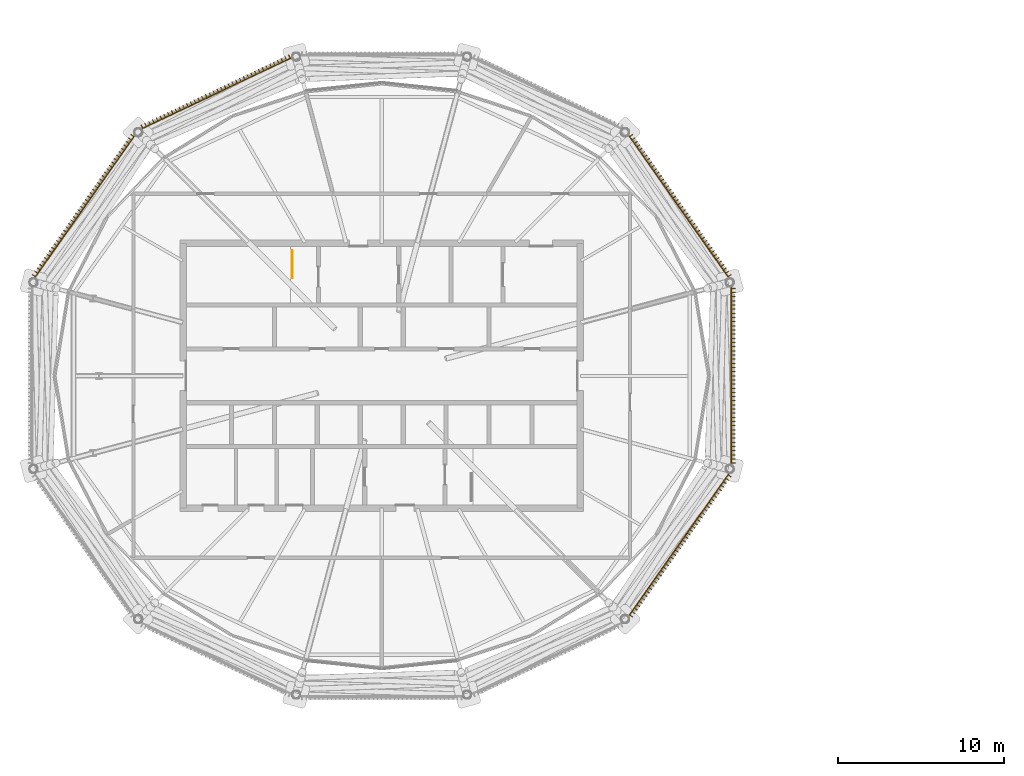
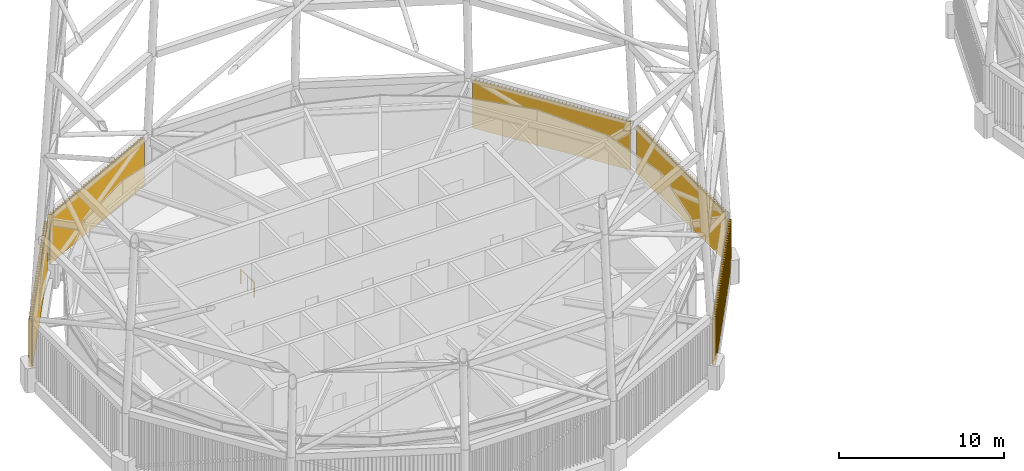
# One storey, part 68 of 71: 5 coverings, 1 railing.
"""IFC4 building model written with IfcOpenShell, lengths in metres."""

from ifc_helpers import new_model, si_unit, direction, frame, origin, origin_2d, place, context, subcontext, project, spatial, polyline, circle, outline, extrude, material, type_object, element, save


model = new_model("IFC4")

# Units and contexts
model_context = context("Model", 3, precision=1e-05, world=origin(), true_north=direction((0.0, 1.0)))
body_context = subcontext(model_context, "Body", "Model", "MODEL_VIEW")
ifc_project = project(units=[si_unit("LENGTHUNIT", "METRE"), si_unit("AREAUNIT", "SQUARE_METRE"), si_unit("VOLUMEUNIT", "CUBIC_METRE"), si_unit("PLANEANGLEUNIT", "RADIAN"), si_unit("MASSUNIT", "GRAM", prefix="KILO")], contexts=[model_context])

# Site, building, storey
site_placement = place(None, origin())
site = spatial("IfcSite", under=ifc_project, at=site_placement, CompositionType="ELEMENT")
building_placement = place(site_placement, origin())
building = spatial("IfcBuilding", under=site, at=building_placement, Name="Rimbun Link Towers", CompositionType="ELEMENT")
storey_placement = place(building_placement, frame((0.0, 0.0, 267.60009765625)))
storey = spatial("IfcBuildingStorey", under=building, at=storey_placement, Name="L65", CompositionType="ELEMENT", Elevation=267.60009765625)

# Railing
ifc_material_1 = material(Name="Stainless steel grade 316", Category="steel")
railing_type = type_object("IfcRailingType", Name="Stair guard", PredefinedType="GUARDRAIL", material=ifc_material_1)
railing_placement = place(storey_placement, frame((-37.14990234375, 7.550048828125, 0.0)))
element("IfcRailing", 1, at=railing_placement, inside=storey, type_object=railing_type, Name="L65 ST1 top well guard 1", PredefinedType="GUARDRAIL", context=body_context, shape_type="SweptSolid", body=[
    extrude(circle(Radius=0.02392578125, at=origin_2d()), frame((0.0, 0.0, 1.076171875), z_axis=(0.0, -1.0, 0.0), x_axis=(1.0, 0.0, 0.0)), (0.0, 0.0, 1.0), 1.650146484375),
    extrude(circle(Radius=0.02099609375, at=origin_2d()), origin(), (0.0, 0.0, 1.0), 1.052001953125),
    extrude(circle(Radius=0.02099609375, at=origin_2d()), frame((0.0, -0.8251953125, 0.0)), (0.0, 0.0, 1.0), 1.052001953125),
    extrude(circle(Radius=0.02099609375, at=origin_2d()), frame((0.0, -1.650146484375, 0.0)), (0.0, 0.0, 1.0), 1.052001953125),
])

# Coverings
ifc_material_2 = material(Name="Terracotta", Category="masonry")
covering_type = type_object("IfcCoveringType", Name="TERRACOTTA CLADDING screen fins", PredefinedType="CLADDING", material=ifc_material_2)
covering_1_placement = place(storey_placement, frame((0.0, 0.0, 0.2119140625)))
element("IfcCovering", 2, at=covering_1_placement, inside=storey, type_object=covering_type, Name="TERRACOTTA CLADDING screen", PredefinedType="CLADDING", context=body_context, shape_type="SweptSolid", body=[
    extrude(outline(polyline([(-10.7373046875, 5.893310546875), (-10.80126953125, 5.984130859375), (-10.6376953125, 6.099365234375), (-10.65478515625, 6.123779296875), (-10.818603515625, 6.0087890625), (-10.9462890625, 6.1904296875), (-10.78271484375, 6.3056640625), (-10.800048828125, 6.330078125), (-10.963623046875, 6.215087890625), (-11.091552734375, 6.396728515625), (-10.927978515625, 6.511962890625), (-10.9453125, 6.536376953125), (-11.10888671875, 6.42138671875), (-11.23681640625, 6.60302734375), (-11.072998046875, 6.71826171875), (-11.09033203125, 6.74267578125), (-11.25390625, 6.627685546875), (-11.3818359375, 6.809326171875), (-11.21826171875, 6.92431640625), (-11.235595703125, 6.948974609375), (-11.399169921875, 6.833984375), (-11.527099609375, 7.015625), (-11.36328125, 7.130615234375), (-11.380615234375, 7.1552734375), (-11.544189453125, 7.040283203125), (-11.672119140625, 7.221923828125), (-11.508544921875, 7.3369140625), (-11.52587890625, 7.361572265625), (-11.689453125, 7.24658203125), (-11.8173828125, 7.42822265625), (-11.65380859375, 7.543212890625), (-11.6708984375, 7.56787109375), (-11.83447265625, 7.45263671875), (-11.96240234375, 7.634521484375), (-11.798828125, 7.74951171875), (-11.816162109375, 7.774169921875), (-11.979736328125, 7.658935546875), (-12.107666015625, 7.8408203125), (-11.944091796875, 7.955810546875), (-11.961181640625, 7.98046875), (-12.124755859375, 7.865234375), (-12.252685546875, 8.047119140625), (-12.089111328125, 8.162109375), (-12.1064453125, 8.186767578125), (-12.27001953125, 8.071533203125), (-12.397705078125, 8.25341796875), (-12.234375, 8.368408203125), (-12.25146484375, 8.39306640625), (-12.4150390625, 8.27783203125), (-12.54296875, 8.459716796875), (-12.37939453125, 8.57470703125), (-12.396728515625, 8.599365234375), (-12.560302734375, 8.484130859375), (-12.68798828125, 8.666015625), (-12.524658203125, 8.781005859375), (-12.541748046875, 8.8056640625), (-12.705322265625, 8.6904296875), (-12.833251953125, 8.872314453125), (-12.669677734375, 8.9873046875), (-12.68701171875, 9.01171875), (-12.8505859375, 8.896728515625), (-12.978515625, 9.07861328125), (-12.81494140625, 9.193603515625), (-12.83203125, 9.218017578125), (-12.99560546875, 9.10302734375), (-13.12353515625, 9.284912109375), (-12.9599609375, 9.39990234375), (-12.977294921875, 9.42431640625), (-13.140869140625, 9.309326171875), (-13.268798828125, 9.4912109375), (-13.10498046875, 9.606201171875), (-13.122314453125, 9.630615234375), (-13.285888671875, 9.515625), (-13.413818359375, 9.697509765625), (-13.250244140625, 9.8125), (-13.267578125, 9.8369140625), (-13.43115234375, 9.721923828125), (-13.55908203125, 9.90380859375), (-13.3955078125, 10.018798828125), (-13.41259765625, 10.043212890625), (-13.576416015625, 9.92822265625), (-13.7041015625, 10.10986328125), (-13.54052734375, 10.22509765625), (-13.557861328125, 10.24951171875), (-13.721435546875, 10.134521484375), (-13.849365234375, 10.316162109375), (-13.685791015625, 10.431396484375), (-13.702880859375, 10.455810546875), (-13.86669921875, 10.3408203125), (-13.994384765625, 10.5224609375), (-13.830810546875, 10.6376953125), (-13.84814453125, 10.662109375), (-14.01171875, 10.547119140625), (-14.1396484375, 10.728759765625), (-13.97607421875, 10.843994140625), (-13.993408203125, 10.868408203125), (-14.156982421875, 10.75341796875), (-14.28466796875, 10.93505859375), (-14.12109375, 11.05029296875), (-14.138427734375, 11.07470703125), (-14.302001953125, 10.959716796875), (-14.429931640625, 11.141357421875), (-14.266357421875, 11.256591796875), (-14.28369140625, 11.281005859375), (-14.447021484375, 11.166015625), (-14.574951171875, 11.34765625), (-14.41162109375, 11.462890625), (-14.4287109375, 11.4873046875), (-14.59228515625, 11.372314453125), (-14.72021484375, 11.553955078125), (-14.556640625, 11.6689453125), (-14.573974609375, 11.693603515625), (-14.7373046875, 11.57861328125), (-14.865234375, 11.76025390625), (-14.70166015625, 11.875244140625), (-14.718994140625, 11.89990234375), (-14.882568359375, 11.784912109375), (-15.010498046875, 11.966552734375), (-14.846923828125, 12.08154296875), (-14.8642578125, 12.106201171875), (-15.027587890625, 11.9912109375), (-15.155517578125, 12.1728515625), (-14.991943359375, 12.287841796875), (-15.00927734375, 12.3125), (-15.1728515625, 12.197265625), (-15.30078125, 12.379150390625), (-15.13720703125, 12.494140625), (-15.154296875, 12.518798828125), (-15.318115234375, 12.403564453125), (-15.44580078125, 12.58544921875), (-15.2822265625, 12.700439453125), (-15.299560546875, 12.72509765625), (-15.463134765625, 12.60986328125), (-15.591064453125, 12.791748046875), (-15.427490234375, 12.90673828125), (-15.444580078125, 12.931396484375), (-15.6083984375, 12.816162109375), (-15.736083984375, 12.998046875), (-15.572509765625, 13.113037109375), (-15.58984375, 13.1376953125), (-15.75341796875, 13.0224609375), (-15.88134765625, 13.2041015625), (-15.7177734375, 13.3193359375), (-15.735107421875, 13.343994140625), (-15.898681640625, 13.228759765625), (-16.026611328125, 13.410400390625), (-15.86279296875, 13.525634765625), (-15.880126953125, 13.55029296875), (-16.043701171875, 13.43505859375), (-16.171630859375, 13.61669921875), (-16.008056640625, 13.73193359375), (-16.025390625, 13.75634765625), (-16.18896484375, 13.641357421875), (-16.31689453125, 13.822998046875), (-16.1533203125, 13.938232421875), (-16.17041015625, 13.962646484375), (-16.333984375, 13.84765625), (-16.4619140625, 14.029296875), (-16.29833984375, 14.14453125), (-16.315673828125, 14.1689453125), (-16.479248046875, 14.053955078125), (-16.607177734375, 14.235595703125), (-16.443603515625, 14.350830078125), (-16.460693359375, 14.375244140625), (-16.624267578125, 14.26025390625), (-16.752197265625, 14.44189453125), (-16.588623046875, 14.55712890625), (-16.60595703125, 14.58154296875), (-16.76953125, 14.466552734375), (-16.83349609375, 14.557373046875), (-16.869384765625, 14.521484375), (-10.788818359375, 5.87939453125), (-10.7373046875, 5.893310546875)])), origin(), (0.0, 0.0, 1.0), 3.575927734375),
])
covering_2_placement = place(storey_placement, frame((0.0, 0.0, 0.2119140625)))
element("IfcCovering", 3, at=covering_2_placement, inside=storey, type_object=covering_type, Name="TERRACOTTA CLADDING screen", PredefinedType="CLADDING", context=body_context, shape_type="SweptSolid", body=[
    extrude(outline(polyline([(-37.1708984375, 19.249755859375), (-37.271484375, 19.201904296875), (-37.357177734375, 19.3828125), (-37.38427734375, 19.369873046875), (-37.298583984375, 19.189208984375), (-37.5, 19.09375), (-37.585693359375, 19.2744140625), (-37.61279296875, 19.261474609375), (-37.527099609375, 19.080810546875), (-37.728515625, 18.9853515625), (-37.814208984375, 19.166015625), (-37.84130859375, 19.1533203125), (-37.755615234375, 18.972412109375), (-37.956787109375, 18.877197265625), (-38.04248046875, 19.057861328125), (-38.069580078125, 19.044921875), (-37.98388671875, 18.8642578125), (-38.185302734375, 18.768798828125), (-38.27099609375, 18.949462890625), (-38.298095703125, 18.936767578125), (-38.21240234375, 18.755859375), (-38.413818359375, 18.660400390625), (-38.49951171875, 18.84130859375), (-38.526611328125, 18.828369140625), (-38.44091796875, 18.647705078125), (-38.642333984375, 18.55224609375), (-38.72802734375, 18.73291015625), (-38.755126953125, 18.72021484375), (-38.66943359375, 18.539306640625), (-38.87060546875, 18.44384765625), (-38.956298828125, 18.624755859375), (-38.9833984375, 18.61181640625), (-38.89794921875, 18.43115234375), (-39.09912109375, 18.335693359375), (-39.184814453125, 18.516357421875), (-39.2119140625, 18.50341796875), (-39.126220703125, 18.32275390625), (-39.32763671875, 18.227294921875), (-39.413330078125, 18.408203125), (-39.4404296875, 18.395263671875), (-39.354736328125, 18.214599609375), (-39.55615234375, 18.119140625), (-39.641845703125, 18.2998046875), (-39.6689453125, 18.287109375), (-39.583251953125, 18.106201171875), (-39.78466796875, 18.0107421875), (-39.8701171875, 18.19140625), (-39.897216796875, 18.1787109375), (-39.811767578125, 17.998046875), (-40.012939453125, 17.902587890625), (-40.0986328125, 18.083251953125), (-40.125732421875, 18.0703125), (-40.0400390625, 17.8896484375), (-40.241455078125, 17.794189453125), (-40.3271484375, 17.97509765625), (-40.354248046875, 17.962158203125), (-40.2685546875, 17.781494140625), (-40.469970703125, 17.685791015625), (-40.5556640625, 17.86669921875), (-40.582763671875, 17.853759765625), (-40.4970703125, 17.673095703125), (-40.698486328125, 17.57763671875), (-40.783935546875, 17.75830078125), (-40.81103515625, 17.74560546875), (-40.7255859375, 17.564697265625), (-40.9267578125, 17.469482421875), (-41.012451171875, 17.650146484375), (-41.03955078125, 17.63720703125), (-40.953857421875, 17.45654296875), (-41.1552734375, 17.361083984375), (-41.240966796875, 17.541748046875), (-41.26806640625, 17.529052734375), (-41.182373046875, 17.34814453125), (-41.3837890625, 17.252685546875), (-41.469482421875, 17.43359375), (-41.49658203125, 17.420654296875), (-41.410888671875, 17.239990234375), (-41.6123046875, 17.14453125), (-41.69775390625, 17.3251953125), (-41.72509765625, 17.3125), (-41.639404296875, 17.131591796875), (-41.840576171875, 17.0361328125), (-41.92626953125, 17.217041015625), (-41.953369140625, 17.2041015625), (-41.86767578125, 17.0234375), (-42.069091796875, 16.927978515625), (-42.15478515625, 17.108642578125), (-42.181884765625, 17.095703125), (-42.09619140625, 16.9150390625), (-42.297607421875, 16.819580078125), (-42.38330078125, 17.00048828125), (-42.410400390625, 16.987548828125), (-42.32470703125, 16.806884765625), (-42.52587890625, 16.71142578125), (-42.61181640625, 16.89208984375), (-42.638916015625, 16.87939453125), (-42.552978515625, 16.698486328125), (-42.75439453125, 16.60302734375), (-42.840087890625, 16.78369140625), (-42.8671875, 16.77099609375), (-42.781494140625, 16.590087890625), (-42.98291015625, 16.494873046875), (-43.068603515625, 16.675537109375), (-43.095703125, 16.66259765625), (-43.010009765625, 16.48193359375), (-43.21142578125, 16.386474609375), (-43.297119140625, 16.567138671875), (-43.32421875, 16.554443359375), (-43.238525390625, 16.373779296875), (-43.439697265625, 16.2783203125), (-43.525390625, 16.458984375), (-43.552490234375, 16.446044921875), (-43.466796875, 16.265380859375), (-43.668212890625, 16.169921875), (-43.75390625, 16.3505859375), (-43.781005859375, 16.337890625), (-43.6953125, 16.156982421875), (-43.896728515625, 16.061767578125), (-43.982421875, 16.242431640625), (-44.009521484375, 16.2294921875), (-43.923828125, 16.048828125), (-44.125244140625, 15.953369140625), (-44.210693359375, 16.134033203125), (-44.23779296875, 16.121337890625), (-44.15234375, 15.9404296875), (-44.353515625, 15.84521484375), (-44.439208984375, 16.02587890625), (-44.46630859375, 16.012939453125), (-44.380615234375, 15.832275390625), (-44.58203125, 15.73681640625), (-44.667724609375, 15.91748046875), (-44.69482421875, 15.90478515625), (-44.609130859375, 15.72412109375), (-44.810546875, 15.62841796875), (-44.896240234375, 15.80908203125), (-44.92333984375, 15.79638671875), (-44.837646484375, 15.61572265625), (-45.0390625, 15.520263671875), (-45.12451171875, 15.700927734375), (-45.15185546875, 15.68798828125), (-45.066162109375, 15.50732421875), (-45.267333984375, 15.412109375), (-45.35302734375, 15.5927734375), (-45.380126953125, 15.579833984375), (-45.29443359375, 15.399169921875), (-45.495849609375, 15.3037109375), (-45.58154296875, 15.484375), (-45.608642578125, 15.471435546875), (-45.52294921875, 15.290771484375), (-45.724365234375, 15.1953125), (-45.81005859375, 15.376220703125), (-45.837158203125, 15.36328125), (-45.75146484375, 15.1826171875), (-45.952880859375, 15.087158203125), (-46.03857421875, 15.267822265625), (-46.065673828125, 15.2548828125), (-45.97998046875, 15.07421875), (-46.181396484375, 14.978759765625), (-46.266845703125, 15.159423828125), (-46.2939453125, 15.146728515625), (-46.20849609375, 14.966064453125), (-46.30908203125, 14.918212890625), (-46.271484375, 14.880615234375), (-37.15771484375, 19.20068359375), (-37.1708984375, 19.249755859375)])), origin(), (0.0, 0.0, 1.0), 3.575927734375),
])
covering_3_placement = place(storey_placement, frame((0.0, 0.0, 0.2119140625)))
element("IfcCovering", 4, at=covering_3_placement, inside=storey, type_object=covering_type, Name="TERRACOTTA CLADDING screen", PredefinedType="CLADDING", context=body_context, shape_type="SweptSolid", body=[
    extrude(outline(polyline([(-46.66650390625, 14.557373046875), (-46.73046875, 14.466552734375), (-46.89404296875, 14.58154296875), (-46.911376953125, 14.55712890625), (-46.747802734375, 14.44189453125), (-46.875732421875, 14.26025390625), (-47.039306640625, 14.375244140625), (-47.056396484375, 14.350830078125), (-46.892822265625, 14.235595703125), (-47.020751953125, 14.053955078125), (-47.184326171875, 14.1689453125), (-47.20166015625, 14.14453125), (-47.0380859375, 14.029296875), (-47.166015625, 13.84765625), (-47.32958984375, 13.962646484375), (-47.3466796875, 13.938232421875), (-47.18310546875, 13.822998046875), (-47.31103515625, 13.641357421875), (-47.474609375, 13.75634765625), (-47.491943359375, 13.73193359375), (-47.328369140625, 13.61669921875), (-47.456298828125, 13.43505859375), (-47.619873046875, 13.55029296875), (-47.63720703125, 13.525634765625), (-47.473388671875, 13.410400390625), (-47.601318359375, 13.228759765625), (-47.764892578125, 13.343994140625), (-47.7822265625, 13.3193359375), (-47.61865234375, 13.2041015625), (-47.74658203125, 13.0224609375), (-47.91015625, 13.1376953125), (-47.927490234375, 13.113037109375), (-47.763916015625, 12.998046875), (-47.8916015625, 12.816162109375), (-48.055419921875, 12.931396484375), (-48.072509765625, 12.90673828125), (-47.908935546875, 12.791748046875), (-48.036865234375, 12.60986328125), (-48.200439453125, 12.72509765625), (-48.2177734375, 12.700439453125), (-48.05419921875, 12.58544921875), (-48.181884765625, 12.403564453125), (-48.345703125, 12.518798828125), (-48.36279296875, 12.494140625), (-48.19921875, 12.379150390625), (-48.3271484375, 12.197265625), (-48.49072265625, 12.3125), (-48.508056640625, 12.287841796875), (-48.344482421875, 12.1728515625), (-48.472412109375, 11.9912109375), (-48.6357421875, 12.106201171875), (-48.653076171875, 12.08154296875), (-48.489501953125, 11.966552734375), (-48.617431640625, 11.784912109375), (-48.781005859375, 11.89990234375), (-48.79833984375, 11.875244140625), (-48.634765625, 11.76025390625), (-48.7626953125, 11.57861328125), (-48.926025390625, 11.693603515625), (-48.943359375, 11.6689453125), (-48.77978515625, 11.553955078125), (-48.90771484375, 11.372314453125), (-49.0712890625, 11.4873046875), (-49.08837890625, 11.462890625), (-48.925048828125, 11.34765625), (-49.052978515625, 11.166015625), (-49.21630859375, 11.281005859375), (-49.233642578125, 11.256591796875), (-49.070068359375, 11.141357421875), (-49.197998046875, 10.959716796875), (-49.361572265625, 11.07470703125), (-49.37890625, 11.05029296875), (-49.21533203125, 10.93505859375), (-49.343017578125, 10.75341796875), (-49.506591796875, 10.868408203125), (-49.52392578125, 10.843994140625), (-49.3603515625, 10.728759765625), (-49.48828125, 10.547119140625), (-49.65185546875, 10.662109375), (-49.669189453125, 10.6376953125), (-49.505615234375, 10.5224609375), (-49.63330078125, 10.3408203125), (-49.797119140625, 10.455810546875), (-49.814208984375, 10.431396484375), (-49.650634765625, 10.316162109375), (-49.778564453125, 10.134521484375), (-49.942138671875, 10.24951171875), (-49.95947265625, 10.22509765625), (-49.7958984375, 10.10986328125), (-49.923583984375, 9.92822265625), (-50.08740234375, 10.043212890625), (-50.1044921875, 10.018798828125), (-49.94091796875, 9.90380859375), (-50.06884765625, 9.721923828125), (-50.232421875, 9.8369140625), (-50.249755859375, 9.8125), (-50.086181640625, 9.697509765625), (-50.214111328125, 9.515625), (-50.377685546875, 9.630615234375), (-50.39501953125, 9.606201171875), (-50.231201171875, 9.4912109375), (-50.359130859375, 9.309326171875), (-50.522705078125, 9.42431640625), (-50.5400390625, 9.39990234375), (-50.37646484375, 9.284912109375), (-50.50439453125, 9.10302734375), (-50.66796875, 9.218017578125), (-50.68505859375, 9.193603515625), (-50.521484375, 9.07861328125), (-50.6494140625, 8.896728515625), (-50.81298828125, 9.01171875), (-50.830322265625, 8.9873046875), (-50.666748046875, 8.872314453125), (-50.794677734375, 8.6904296875), (-50.958251953125, 8.8056640625), (-50.975341796875, 8.781005859375), (-50.81201171875, 8.666015625), (-50.939697265625, 8.484130859375), (-51.103271484375, 8.599365234375), (-51.12060546875, 8.57470703125), (-50.95703125, 8.459716796875), (-51.0849609375, 8.27783203125), (-51.24853515625, 8.39306640625), (-51.265625, 8.368408203125), (-51.102294921875, 8.25341796875), (-51.22998046875, 8.071533203125), (-51.3935546875, 8.186767578125), (-51.410888671875, 8.162109375), (-51.247314453125, 8.047119140625), (-51.375244140625, 7.865234375), (-51.538818359375, 7.98046875), (-51.555908203125, 7.955810546875), (-51.392333984375, 7.8408203125), (-51.520263671875, 7.658935546875), (-51.683837890625, 7.774169921875), (-51.701171875, 7.74951171875), (-51.53759765625, 7.634521484375), (-51.66552734375, 7.45263671875), (-51.8291015625, 7.56787109375), (-51.84619140625, 7.543212890625), (-51.6826171875, 7.42822265625), (-51.810546875, 7.24658203125), (-51.97412109375, 7.361572265625), (-51.991455078125, 7.3369140625), (-51.827880859375, 7.221923828125), (-51.955810546875, 7.040283203125), (-52.119384765625, 7.1552734375), (-52.13671875, 7.130615234375), (-51.972900390625, 7.015625), (-52.100830078125, 6.833984375), (-52.264404296875, 6.948974609375), (-52.28173828125, 6.92431640625), (-52.1181640625, 6.809326171875), (-52.24609375, 6.627685546875), (-52.40966796875, 6.74267578125), (-52.427001953125, 6.71826171875), (-52.26318359375, 6.60302734375), (-52.39111328125, 6.42138671875), (-52.5546875, 6.536376953125), (-52.572021484375, 6.511962890625), (-52.408447265625, 6.396728515625), (-52.536376953125, 6.215087890625), (-52.699951171875, 6.330078125), (-52.71728515625, 6.3056640625), (-52.5537109375, 6.1904296875), (-52.681396484375, 6.0087890625), (-52.84521484375, 6.123779296875), (-52.8623046875, 6.099365234375), (-52.69873046875, 5.984130859375), (-52.7626953125, 5.893310546875), (-52.711181640625, 5.87939453125), (-46.630615234375, 14.521484375), (-46.66650390625, 14.557373046875)])), origin(), (0.0, 0.0, 1.0), 3.575927734375),
])
covering_4_placement = place(storey_placement, frame((0.0, 0.0, 0.2119140625)))
element("IfcCovering", 5, at=covering_4_placement, inside=storey, type_object=covering_type, Name="TERRACOTTA CLADDING screen", PredefinedType="CLADDING", context=body_context, shape_type="SweptSolid", body=[
    extrude(outline(polyline([(-16.83349609375, -14.557373046875), (-16.76953125, -14.466552734375), (-16.60595703125, -14.58154296875), (-16.588623046875, -14.55712890625), (-16.752197265625, -14.44189453125), (-16.624267578125, -14.26025390625), (-16.460693359375, -14.375244140625), (-16.443603515625, -14.350830078125), (-16.607177734375, -14.235595703125), (-16.479248046875, -14.053955078125), (-16.315673828125, -14.1689453125), (-16.29833984375, -14.14453125), (-16.4619140625, -14.029296875), (-16.333984375, -13.84765625), (-16.17041015625, -13.962646484375), (-16.1533203125, -13.938232421875), (-16.31689453125, -13.822998046875), (-16.18896484375, -13.641357421875), (-16.025390625, -13.75634765625), (-16.008056640625, -13.73193359375), (-16.171630859375, -13.61669921875), (-16.043701171875, -13.43505859375), (-15.880126953125, -13.55029296875), (-15.86279296875, -13.525634765625), (-16.026611328125, -13.410400390625), (-15.898681640625, -13.228759765625), (-15.735107421875, -13.343994140625), (-15.7177734375, -13.3193359375), (-15.88134765625, -13.2041015625), (-15.75341796875, -13.0224609375), (-15.58984375, -13.1376953125), (-15.572509765625, -13.113037109375), (-15.736083984375, -12.998046875), (-15.6083984375, -12.816162109375), (-15.444580078125, -12.931396484375), (-15.427490234375, -12.90673828125), (-15.591064453125, -12.791748046875), (-15.463134765625, -12.60986328125), (-15.299560546875, -12.72509765625), (-15.2822265625, -12.700439453125), (-15.44580078125, -12.58544921875), (-15.318115234375, -12.403564453125), (-15.154296875, -12.518798828125), (-15.13720703125, -12.494140625), (-15.30078125, -12.379150390625), (-15.1728515625, -12.197265625), (-15.00927734375, -12.3125), (-14.991943359375, -12.287841796875), (-15.155517578125, -12.1728515625), (-15.027587890625, -11.9912109375), (-14.8642578125, -12.106201171875), (-14.846923828125, -12.08154296875), (-15.010498046875, -11.966552734375), (-14.882568359375, -11.784912109375), (-14.718994140625, -11.89990234375), (-14.70166015625, -11.875244140625), (-14.865234375, -11.76025390625), (-14.7373046875, -11.57861328125), (-14.573974609375, -11.693603515625), (-14.556640625, -11.6689453125), (-14.72021484375, -11.553955078125), (-14.59228515625, -11.372314453125), (-14.4287109375, -11.4873046875), (-14.41162109375, -11.462890625), (-14.574951171875, -11.34765625), (-14.447021484375, -11.166015625), (-14.28369140625, -11.281005859375), (-14.266357421875, -11.256591796875), (-14.429931640625, -11.141357421875), (-14.302001953125, -10.959716796875), (-14.138427734375, -11.07470703125), (-14.12109375, -11.05029296875), (-14.28466796875, -10.93505859375), (-14.156982421875, -10.75341796875), (-13.993408203125, -10.868408203125), (-13.97607421875, -10.843994140625), (-14.1396484375, -10.728759765625), (-14.01171875, -10.547119140625), (-13.84814453125, -10.662109375), (-13.830810546875, -10.6376953125), (-13.994384765625, -10.5224609375), (-13.86669921875, -10.3408203125), (-13.702880859375, -10.455810546875), (-13.685791015625, -10.431396484375), (-13.849365234375, -10.316162109375), (-13.721435546875, -10.134521484375), (-13.557861328125, -10.24951171875), (-13.54052734375, -10.22509765625), (-13.7041015625, -10.10986328125), (-13.576416015625, -9.92822265625), (-13.41259765625, -10.043212890625), (-13.3955078125, -10.018798828125), (-13.55908203125, -9.90380859375), (-13.43115234375, -9.721923828125), (-13.267578125, -9.8369140625), (-13.250244140625, -9.8125), (-13.413818359375, -9.697509765625), (-13.285888671875, -9.515625), (-13.122314453125, -9.630615234375), (-13.10498046875, -9.606201171875), (-13.268798828125, -9.4912109375), (-13.140869140625, -9.309326171875), (-12.977294921875, -9.42431640625), (-12.9599609375, -9.39990234375), (-13.12353515625, -9.284912109375), (-12.99560546875, -9.10302734375), (-12.83203125, -9.218017578125), (-12.81494140625, -9.193603515625), (-12.978515625, -9.07861328125), (-12.8505859375, -8.896728515625), (-12.68701171875, -9.01171875), (-12.669677734375, -8.9873046875), (-12.833251953125, -8.872314453125), (-12.705322265625, -8.6904296875), (-12.541748046875, -8.8056640625), (-12.524658203125, -8.781005859375), (-12.68798828125, -8.666015625), (-12.560302734375, -8.484130859375), (-12.396728515625, -8.599365234375), (-12.37939453125, -8.57470703125), (-12.54296875, -8.459716796875), (-12.4150390625, -8.27783203125), (-12.25146484375, -8.39306640625), (-12.234375, -8.368408203125), (-12.397705078125, -8.25341796875), (-12.27001953125, -8.071533203125), (-12.1064453125, -8.186767578125), (-12.089111328125, -8.162109375), (-12.252685546875, -8.047119140625), (-12.124755859375, -7.865234375), (-11.961181640625, -7.98046875), (-11.944091796875, -7.955810546875), (-12.107666015625, -7.8408203125), (-11.979736328125, -7.658935546875), (-11.816162109375, -7.774169921875), (-11.798828125, -7.74951171875), (-11.96240234375, -7.634521484375), (-11.83447265625, -7.45263671875), (-11.6708984375, -7.56787109375), (-11.65380859375, -7.543212890625), (-11.8173828125, -7.42822265625), (-11.689453125, -7.24658203125), (-11.52587890625, -7.361572265625), (-11.508544921875, -7.3369140625), (-11.672119140625, -7.221923828125), (-11.544189453125, -7.040283203125), (-11.380615234375, -7.1552734375), (-11.36328125, -7.130615234375), (-11.527099609375, -7.015625), (-11.399169921875, -6.833984375), (-11.235595703125, -6.948974609375), (-11.21826171875, -6.92431640625), (-11.3818359375, -6.809326171875), (-11.25390625, -6.627685546875), (-11.09033203125, -6.74267578125), (-11.072998046875, -6.71826171875), (-11.23681640625, -6.60302734375), (-11.10888671875, -6.42138671875), (-10.9453125, -6.536376953125), (-10.927978515625, -6.511962890625), (-11.091552734375, -6.396728515625), (-10.963623046875, -6.215087890625), (-10.800048828125, -6.330078125), (-10.78271484375, -6.3056640625), (-10.9462890625, -6.1904296875), (-10.818603515625, -6.0087890625), (-10.65478515625, -6.123779296875), (-10.6376953125, -6.099365234375), (-10.80126953125, -5.984130859375), (-10.7373046875, -5.893310546875), (-10.788818359375, -5.87939453125), (-16.869384765625, -14.521484375), (-16.83349609375, -14.557373046875)])), origin(), (0.0, 0.0, 1.0), 3.575927734375),
])
covering_5_placement = place(storey_placement, frame((0.0, 0.0, 0.2119140625)))
element("IfcCovering", 6, at=covering_5_placement, inside=storey, type_object=covering_type, Name="TERRACOTTA CLADDING screen", PredefinedType="CLADDING", context=body_context, shape_type="SweptSolid", body=[
    extrude(outline(polyline([(-10.607421875, -5.40234375), (-10.607421875, -5.29150390625), (-10.4072265625, -5.29150390625), (-10.4072265625, -5.26171875), (-10.607421875, -5.26171875), (-10.607421875, -5.040283203125), (-10.4072265625, -5.040283203125), (-10.4072265625, -5.010498046875), (-10.607421875, -5.010498046875), (-10.607421875, -4.7890625), (-10.4072265625, -4.7890625), (-10.4072265625, -4.759033203125), (-10.607421875, -4.759033203125), (-10.607421875, -4.537841796875), (-10.4072265625, -4.537841796875), (-10.4072265625, -4.5078125), (-10.607421875, -4.5078125), (-10.607421875, -4.28662109375), (-10.4072265625, -4.28662109375), (-10.4072265625, -4.256591796875), (-10.607421875, -4.256591796875), (-10.607421875, -4.035400390625), (-10.4072265625, -4.035400390625), (-10.4072265625, -4.00537109375), (-10.607421875, -4.00537109375), (-10.607421875, -3.783935546875), (-10.4072265625, -3.783935546875), (-10.4072265625, -3.75390625), (-10.607421875, -3.75390625), (-10.607421875, -3.53271484375), (-10.4072265625, -3.53271484375), (-10.4072265625, -3.502685546875), (-10.607421875, -3.502685546875), (-10.607421875, -3.281494140625), (-10.4072265625, -3.281494140625), (-10.4072265625, -3.25146484375), (-10.607421875, -3.25146484375), (-10.607421875, -3.0302734375), (-10.4072265625, -3.0302734375), (-10.4072265625, -3.000244140625), (-10.607421875, -3.000244140625), (-10.607421875, -2.77880859375), (-10.4072265625, -2.77880859375), (-10.4072265625, -2.748779296875), (-10.607421875, -2.748779296875), (-10.607421875, -2.527587890625), (-10.4072265625, -2.527587890625), (-10.4072265625, -2.497802734375), (-10.607421875, -2.497802734375), (-10.607421875, -2.2763671875), (-10.4072265625, -2.2763671875), (-10.4072265625, -2.246337890625), (-10.607421875, -2.246337890625), (-10.607421875, -2.025146484375), (-10.4072265625, -2.025146484375), (-10.4072265625, -1.9951171875), (-10.607421875, -1.9951171875), (-10.607421875, -1.77392578125), (-10.4072265625, -1.77392578125), (-10.4072265625, -1.743896484375), (-10.607421875, -1.743896484375), (-10.607421875, -1.522705078125), (-10.4072265625, -1.522705078125), (-10.4072265625, -1.49267578125), (-10.607421875, -1.49267578125), (-10.607421875, -1.271240234375), (-10.4072265625, -1.271240234375), (-10.4072265625, -1.2412109375), (-10.607421875, -1.2412109375), (-10.607421875, -1.02001953125), (-10.4072265625, -1.02001953125), (-10.4072265625, -0.989990234375), (-10.607421875, -0.989990234375), (-10.607421875, -0.768798828125), (-10.4072265625, -0.768798828125), (-10.4072265625, -0.73876953125), (-10.607421875, -0.73876953125), (-10.607421875, -0.517578125), (-10.4072265625, -0.517578125), (-10.4072265625, -0.487548828125), (-10.607421875, -0.487548828125), (-10.607421875, -0.266357421875), (-10.4072265625, -0.266357421875), (-10.4072265625, -0.236328125), (-10.607421875, -0.236328125), (-10.607421875, -0.014892578125), (-10.4072265625, -0.014892578125), (-10.4072265625, 0.014892578125), (-10.607421875, 0.014892578125), (-10.607421875, 0.236328125), (-10.4072265625, 0.236328125), (-10.4072265625, 0.266357421875), (-10.607421875, 0.266357421875), (-10.607421875, 0.487548828125), (-10.4072265625, 0.487548828125), (-10.4072265625, 0.517578125), (-10.607421875, 0.517578125), (-10.607421875, 0.73876953125), (-10.4072265625, 0.73876953125), (-10.4072265625, 0.768798828125), (-10.607421875, 0.768798828125), (-10.607421875, 0.989990234375), (-10.4072265625, 0.989990234375), (-10.4072265625, 1.02001953125), (-10.607421875, 1.02001953125), (-10.607421875, 1.2412109375), (-10.4072265625, 1.2412109375), (-10.4072265625, 1.271240234375), (-10.607421875, 1.271240234375), (-10.607421875, 1.49267578125), (-10.4072265625, 1.49267578125), (-10.4072265625, 1.522705078125), (-10.607421875, 1.522705078125), (-10.607421875, 1.743896484375), (-10.4072265625, 1.743896484375), (-10.4072265625, 1.77392578125), (-10.607421875, 1.77392578125), (-10.607421875, 1.9951171875), (-10.4072265625, 1.9951171875), (-10.4072265625, 2.025146484375), (-10.607421875, 2.025146484375), (-10.607421875, 2.246337890625), (-10.4072265625, 2.246337890625), (-10.4072265625, 2.2763671875), (-10.607421875, 2.2763671875), (-10.607421875, 2.497802734375), (-10.4072265625, 2.497802734375), (-10.4072265625, 2.527587890625), (-10.607421875, 2.527587890625), (-10.607421875, 2.748779296875), (-10.4072265625, 2.748779296875), (-10.4072265625, 2.77880859375), (-10.607421875, 2.77880859375), (-10.607421875, 3.000244140625), (-10.4072265625, 3.000244140625), (-10.4072265625, 3.0302734375), (-10.607421875, 3.0302734375), (-10.607421875, 3.25146484375), (-10.4072265625, 3.25146484375), (-10.4072265625, 3.281494140625), (-10.607421875, 3.281494140625), (-10.607421875, 3.502685546875), (-10.4072265625, 3.502685546875), (-10.4072265625, 3.53271484375), (-10.607421875, 3.53271484375), (-10.607421875, 3.75390625), (-10.4072265625, 3.75390625), (-10.4072265625, 3.783935546875), (-10.607421875, 3.783935546875), (-10.607421875, 4.00537109375), (-10.4072265625, 4.00537109375), (-10.4072265625, 4.035400390625), (-10.607421875, 4.035400390625), (-10.607421875, 4.256591796875), (-10.4072265625, 4.256591796875), (-10.4072265625, 4.28662109375), (-10.607421875, 4.28662109375), (-10.607421875, 4.5078125), (-10.4072265625, 4.5078125), (-10.4072265625, 4.537841796875), (-10.607421875, 4.537841796875), (-10.607421875, 4.759033203125), (-10.4072265625, 4.759033203125), (-10.4072265625, 4.7890625), (-10.607421875, 4.7890625), (-10.607421875, 5.010498046875), (-10.4072265625, 5.010498046875), (-10.4072265625, 5.040283203125), (-10.607421875, 5.040283203125), (-10.607421875, 5.26171875), (-10.4072265625, 5.26171875), (-10.4072265625, 5.29150390625), (-10.607421875, 5.29150390625), (-10.607421875, 5.40234375), (-10.6572265625, 5.388916015625), (-10.6572265625, -5.388916015625), (-10.607421875, -5.40234375)])), origin(), (0.0, 0.0, 1.0), 3.575927734375),
])

save(model, "model.ifc")
